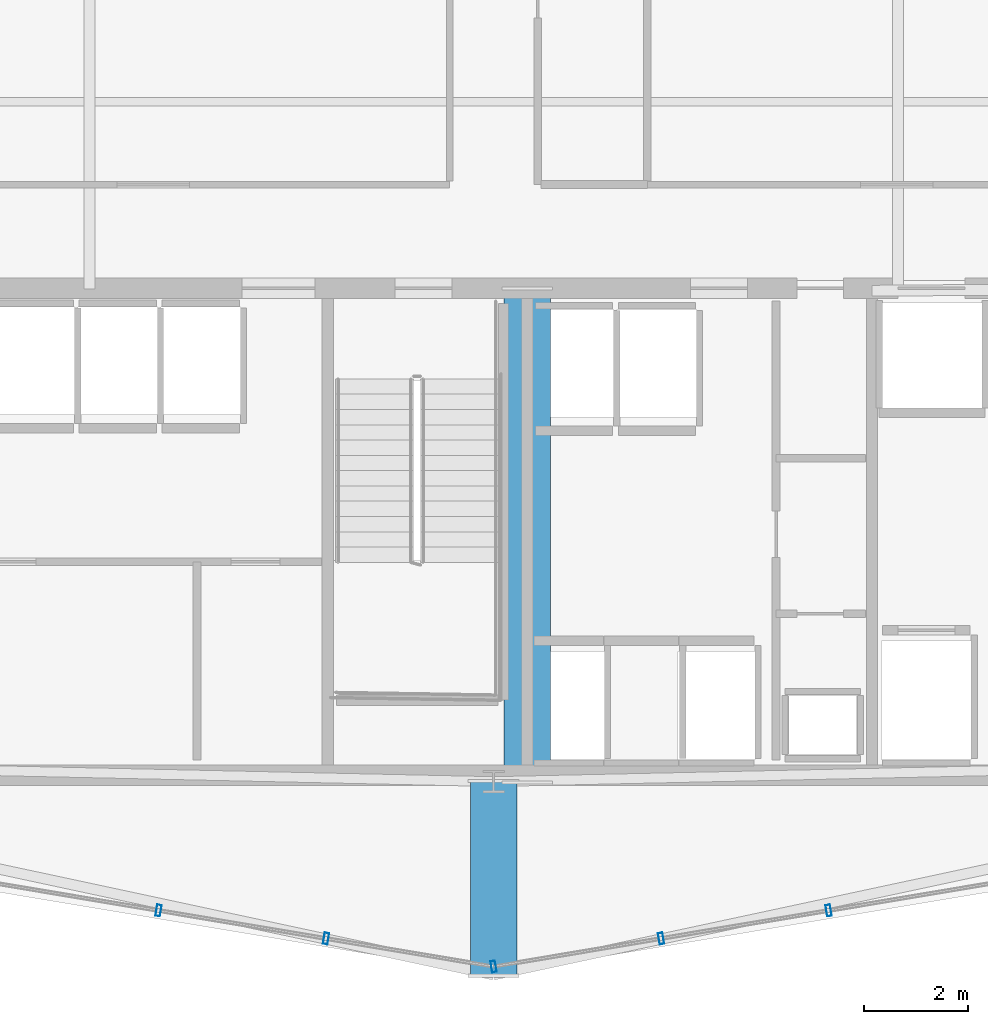
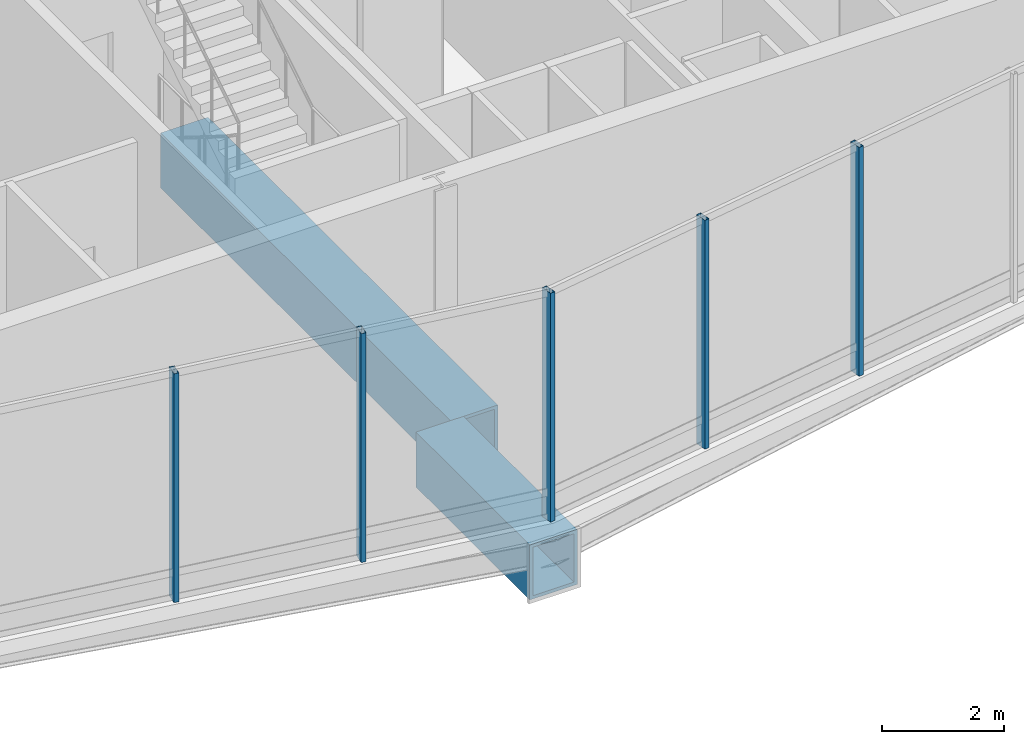
# One storey, part 5 of 28: 5 members, 2 beams, 2 elements without a shape of their own.
"""IFC4 building model written with IfcOpenShell, lengths in metres."""

from ifc_helpers import new_model, si_unit, direction, frame, origin, origin_2d, place, context, subcontext, project, spatial, hollow_rectangle, extrude, material, layer, layer_set, material_profile, profile_set, type_object, element, aggregate, save


model = new_model("IFC4")

# Units and contexts
model_context = context("Model", 3, precision=1e-05, world=origin(), true_north=direction((0.0, 1.0)))
body_context = subcontext(model_context, "Body", "Model", "MODEL_VIEW")
ifc_project = project(units=[si_unit("LENGTHUNIT", "METRE"), si_unit("AREAUNIT", "SQUARE_METRE"), si_unit("VOLUMEUNIT", "CUBIC_METRE"), si_unit("PLANEANGLEUNIT", "RADIAN"), si_unit("MASSUNIT", "GRAM", prefix="KILO")], contexts=[model_context])

# Site, building, storey
site_placement = place(None, origin())
site = spatial("IfcSite", under=ifc_project, at=site_placement, CompositionType="ELEMENT")
building_placement = place(site_placement, origin())
building = spatial("IfcBuilding", under=site, at=building_placement, Name="Ndaravel Arena Tower", CompositionType="ELEMENT")
storey_placement = place(building_placement, frame((0.0, 0.0, 213.199951171875)))
storey = spatial("IfcBuildingStorey", under=building, at=storey_placement, Name="L51", CompositionType="ELEMENT", Elevation=213.199951171875)

# Beams
ifc_material_1 = material(Name="Steel S460", Category="steel")
ifc_material_profile_1 = material_profile(ifc_material_1, hollow_rectangle(XDim=0.89990234375, YDim=1.10009765625, WallThickness=0.06494140625, at=origin_2d()), Name="BOX 1100x900x65")
ifc_profile_set_1 = profile_set([ifc_material_profile_1], Name="Steel S460")
beam_type = type_object("IfcBeamType", Name="BM-STAR-BOX1100", PredefinedType="BEAM", material=ifc_profile_set_1)
beam_1_placement = place(storey_placement, frame((42.64990234375, 14.97998046875, -0.829833984375), z_axis=(0.0, -1.0, 0.0), x_axis=(1.0, 0.0, 0.0)))
element("IfcBeam", 1, at=beam_1_placement, inside=storey, type_object=beam_type, Name="L51 Star Cantilever Backspan Girder SBG-2", PredefinedType="BEAM", context=body_context, shape_type="SweptSolid", body=[
    extrude(hollow_rectangle(XDim=0.89990234375, YDim=1.10009765625, WallThickness=0.06494140625, at=origin_2d()), origin(), (0.0, 0.0, 1.0), 9.5),
])
beam_2_placement = place(storey_placement, frame((42.0, 5.47998046875, -0.829833984375), z_axis=(0.0, -1.0, 0.0), x_axis=(1.0, 0.0, 0.0)))
element("IfcBeam", 2, at=beam_2_placement, inside=storey, type_object=beam_type, Name="L51 Star Cantilever Tip Girder SCG-2", PredefinedType="BEAM", context=body_context, shape_type="SweptSolid", body=[
    extrude(hollow_rectangle(XDim=0.89990234375, YDim=1.10009765625, WallThickness=0.06494140625, at=origin_2d()), origin(), (0.0, 0.0, 1.0), 3.72998046875),
])

# Curtain wall, members
ifc_material_2 = material(Name="Aluminium", Category="aluminium")
ifc_layer = layer(ifc_material_2, 0.179931640625)
ifc_layer_set = layer_set([ifc_layer], Name="Aluminium")
curtain_wall_type = type_object("IfcCurtainWallType", Name="CW-SYS-04", PredefinedType="NOTDEFINED", material=ifc_layer_set)
curtain_wall_1_placement = place(storey_placement, origin())
curtain_wall_1 = element("IfcCurtainWall", 3, at=curtain_wall_1_placement, inside=storey, type_object=curtain_wall_type, Name="L51 Faceted Crystal Curtain Wall CW-L51-E02", PredefinedType="NOTDEFINED")
ifc_material_3 = material(Name="Aluminium", Category="aluminium")
ifc_material_profile_2 = material_profile(ifc_material_3, hollow_rectangle(XDim=0.090087890625, YDim=0.219970703125, WallThickness=0.0048828125, at=origin_2d()), Name="CW MULLION 90x220x5")
ifc_profile_set_2 = profile_set([ifc_material_profile_2], Name="Aluminium")
member_type = type_object("IfcMemberType", Name="MEM-CW-MUL220", PredefinedType="MULLION", material=ifc_profile_set_2)
member_1_placement = place(storey_placement, frame((35.535888671875, 2.993408203125, 0.0), z_axis=(0.0, 0.0, 1.0), x_axis=(0.98629712163, -0.164978749734, 0.0)))
member_1 = element("IfcMember", 4, at=member_1_placement, type_object=member_type, Name="CW-L51-E02 Mullion 04", PredefinedType="MULLION", context=body_context, shape_type="SweptSolid", body=[
    extrude(hollow_rectangle(XDim=0.090087890625, YDim=0.219970703125, WallThickness=0.0048828125, at=origin_2d()), origin(), (0.0, 0.0, 1.0), 4.580078125),
])
member_2_placement = place(storey_placement, frame((38.767822265625, 2.452880859375, 0.0), z_axis=(0.0, 0.0, 1.0), x_axis=(0.98629712163, -0.164978749734, 0.0)))
member_2 = element("IfcMember", 5, at=member_2_placement, type_object=member_type, Name="CW-L51-E02 Mullion 05", PredefinedType="MULLION", context=body_context, shape_type="SweptSolid", body=[
    extrude(hollow_rectangle(XDim=0.090087890625, YDim=0.219970703125, WallThickness=0.0048828125, at=origin_2d()), origin(), (0.0, 0.0, 1.0), 4.580078125),
])
aggregate(curtain_wall_1, [member_1, member_2])

curtain_wall_2_placement = place(storey_placement, origin())
curtain_wall_2 = element("IfcCurtainWall", 6, at=curtain_wall_2_placement, inside=storey, type_object=curtain_wall_type, Name="L51 Faceted Crystal Curtain Wall CW-L51-E03", PredefinedType="NOTDEFINED")
member_3_placement = place(storey_placement, frame((42.0, 1.912109375, 0.0), z_axis=(0.0, 0.0, 1.0), x_axis=(0.98629712163, 0.164978749734, 0.0)))
member_3 = element("IfcMember", 7, at=member_3_placement, type_object=member_type, Name="CW-L51-E03 Mullion 00", PredefinedType="MULLION", context=body_context, shape_type="SweptSolid", body=[
    extrude(hollow_rectangle(XDim=0.090087890625, YDim=0.219970703125, WallThickness=0.0048828125, at=origin_2d()), origin(), (0.0, 0.0, 1.0), 4.580078125),
])
member_4_placement = place(storey_placement, frame((45.232177734375, 2.452880859375, 0.0), z_axis=(0.0, 0.0, 1.0), x_axis=(0.98629712163, 0.164978749734, 0.0)))
member_4 = element("IfcMember", 8, at=member_4_placement, type_object=member_type, Name="CW-L51-E03 Mullion 01", PredefinedType="MULLION", context=body_context, shape_type="SweptSolid", body=[
    extrude(hollow_rectangle(XDim=0.090087890625, YDim=0.219970703125, WallThickness=0.0048828125, at=origin_2d()), origin(), (0.0, 0.0, 1.0), 4.580078125),
])
member_5_placement = place(storey_placement, frame((48.464111328125, 2.993408203125, 0.0), z_axis=(0.0, 0.0, 1.0), x_axis=(0.98629712163, 0.164978749734, 0.0)))
member_5 = element("IfcMember", 9, at=member_5_placement, type_object=member_type, Name="CW-L51-E03 Mullion 02", PredefinedType="MULLION", context=body_context, shape_type="SweptSolid", body=[
    extrude(hollow_rectangle(XDim=0.090087890625, YDim=0.219970703125, WallThickness=0.0048828125, at=origin_2d()), origin(), (0.0, 0.0, 1.0), 4.580078125),
])
aggregate(curtain_wall_2, [member_3, member_4, member_5])

save(model, "model.ifc")
